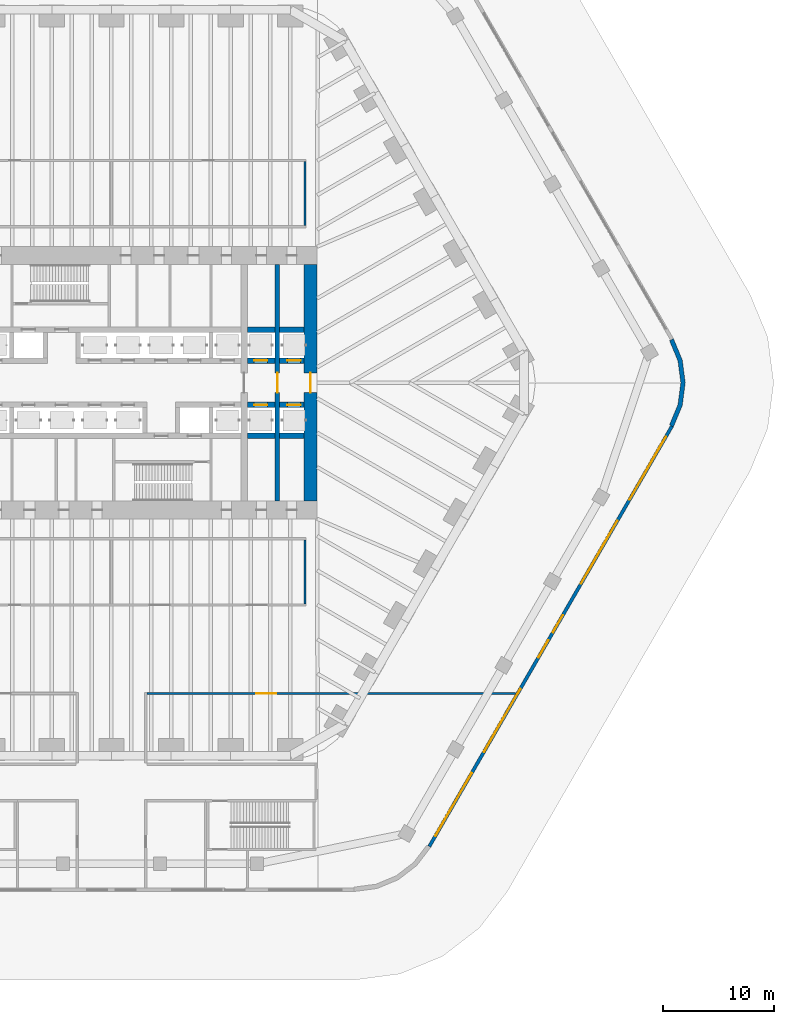
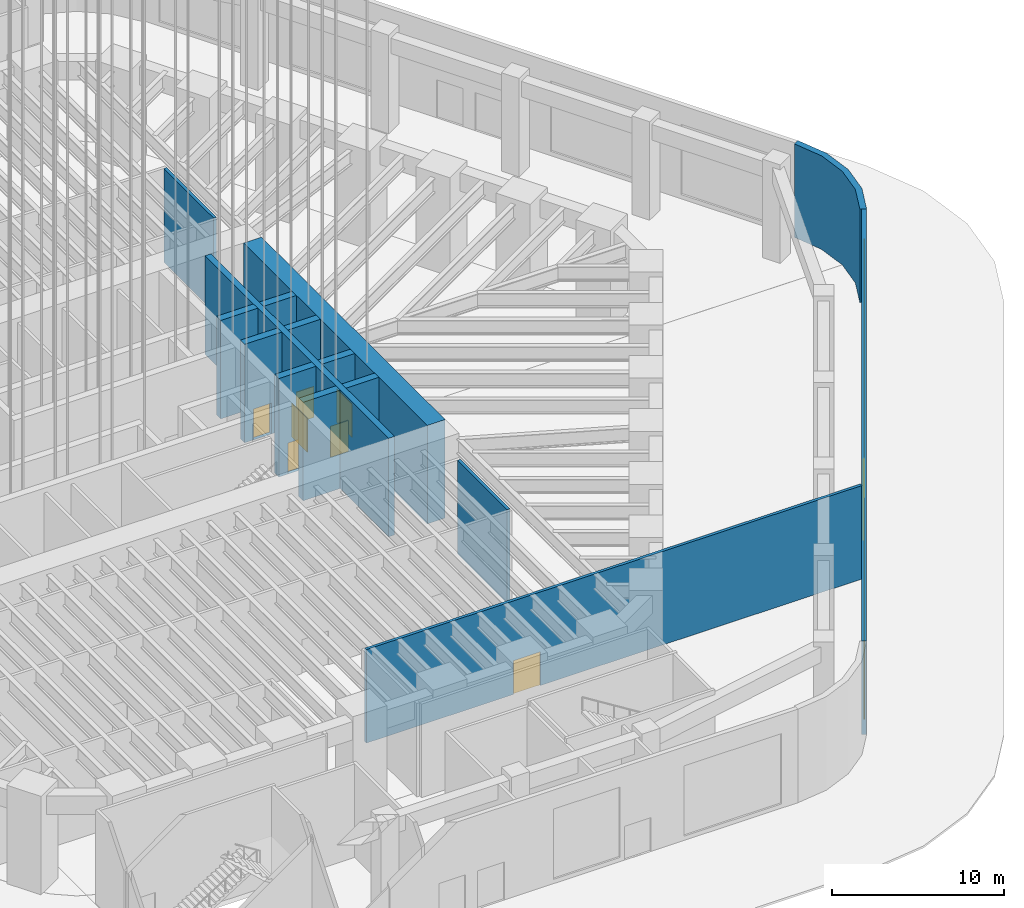
# One storey, part 9 of 23: 15 walls, 9 doors, 4 windows, 13 openings.
"""IFC4 building model written with IfcOpenShell, lengths in metres."""

import ifcopenshell
import ifcopenshell.guid

model = None  # the IFC model being written
_history = None  # IfcOwnerHistory: only IFC2X3 demands one
_inside = {}  # id of a spatial element -> (the spatial element, [elements in it])
_under = {}  # id of a project, library or spatial element -> (it, [spatial elements below it])
_declared = {}  # id of a project -> (the project, [libraries it declares])
_typed = {}  # id of a type object -> (the type object, [elements of that type])
_made_of = {}  # id of a material, layer set ... -> (it, [elements and type objects made of it])


def new_model(schema):
    """Start an empty IFC model of exactly this schema.

    Asked for "IFC4X3", IfcOpenShell would pick the latest addendum, in which some entities
    have other attributes; the version numbers below select the first issue.
    IFC2X3 requires an IfcOwnerHistory on every rooted entity: one is made here for all.
    """
    global model, _history
    if schema == "IFC4X3":
        model = ifcopenshell.file(schema_version=(4, 3, 0, 0))
    else:
        model = ifcopenshell.file(schema=schema)
    _inside.clear()
    _under.clear()
    _declared.clear()
    _typed.clear()
    _made_of.clear()
    _history = None
    if model.schema == "IFC2X3":
        org = make("IfcOrganization", Name="unknown")
        user = make(
            "IfcPersonAndOrganization",
            ThePerson=make("IfcPerson", FamilyName="unknown"),
            TheOrganization=org,
        )
        app = make(
            "IfcApplication",
            ApplicationDeveloper=org,
            Version="unknown",
            ApplicationFullName="unknown",
            ApplicationIdentifier="unknown",
        )
        _history = make(
            "IfcOwnerHistory",
            OwningUser=user,
            OwningApplication=app,
            ChangeAction="ADDED",
            CreationDate=0,
        )
    return model


def make(cls, **values):
    """One entity of the class cls with the attributes given. An attribute that is None is left unset."""
    return model.create_entity(
        cls, **{name: value for name, value in values.items() if value is not None}
    )


def rooted(cls, **values):
    """An entity with a GlobalId (a new one), such as an element, a storey or a relation."""
    return make(cls, GlobalId=ifcopenshell.guid.new(), OwnerHistory=_history, **values)


def si_unit(unit_type, name, prefix=None):
    """IfcSIUnit, for example si_unit("LENGTHUNIT", "METRE", prefix="MILLI")."""
    return make("IfcSIUnit", UnitType=unit_type, Prefix=prefix, Name=name)


def assignment(units):
    """IfcUnitAssignment: the units of a project."""
    return None if units is None else make("IfcUnitAssignment", Units=units)


def point(xyz):
    """IfcCartesianPoint."""
    return None if xyz is None else make("IfcCartesianPoint", Coordinates=xyz)


def direction(xyz):
    """IfcDirection."""
    return None if xyz is None else make("IfcDirection", DirectionRatios=xyz)


def frame(location, z_axis=None, x_axis=None):
    """IfcAxis2Placement3D, a coordinate frame: its origin and axes. An axis left out is left unset."""
    return make(
        "IfcAxis2Placement3D",
        Location=point(location),
        Axis=direction(z_axis),
        RefDirection=direction(x_axis),
    )


def frame_2d(location, x_axis=None):
    """IfcAxis2Placement2D, a coordinate frame in the plane: its origin and x axis."""
    return make(
        "IfcAxis2Placement2D", Location=point(location), RefDirection=direction(x_axis)
    )


def origin():
    """The frame at (0, 0, 0) with its axes left unset."""
    return frame((0.0, 0.0, 0.0))


def place(relative_to, where):
    """IfcLocalPlacement: puts the frame where relative to a parent placement (None: the world)."""
    return make(
        "IfcLocalPlacement", PlacementRelTo=relative_to, RelativePlacement=where
    )


def context(
    kind, dimensions, precision=None, world=None, true_north=None, identifier=None
):
    """IfcGeometricRepresentationContext, for example the 3D "Model" context."""
    return make(
        "IfcGeometricRepresentationContext",
        ContextIdentifier=identifier,
        ContextType=kind,
        CoordinateSpaceDimension=dimensions,
        Precision=precision,
        WorldCoordinateSystem=world,
        TrueNorth=true_north,
    )


def subcontext(parent, identifier, kind, view, scale=None):
    """IfcGeometricRepresentationSubContext, for example "Body" below "Model"."""
    return make(
        "IfcGeometricRepresentationSubContext",
        ContextIdentifier=identifier,
        ContextType=kind,
        ParentContext=parent,
        TargetScale=scale,
        TargetView=view,
    )


def project(units=None, contexts=None):
    """IfcProject with its units and contexts."""
    return rooted(
        "IfcProject",
        Name="project",
        RepresentationContexts=contexts,
        UnitsInContext=assignment(units),
    )


def spatial(cls, under=None, at=None, **own):
    """A site, building, storey or space (cls), placed at a placement, below another one or the project."""
    s = rooted(cls, ObjectPlacement=at, **own)
    if under is not None:
        _under.setdefault(under.id(), (under, []))[1].append(s)
    return s


def polyline(points):
    """IfcPolyline through the points."""
    return make("IfcPolyline", Points=[point(p) for p in points])


def profile(cls, at=None, kind="AREA", **sizes):
    """A parametric profile (cls). Its sizes go by their IFC names, for example OverallWidth=200.0."""
    return make(cls, ProfileType=kind, Position=at, **sizes)


def rectangle(**sizes):
    """IfcRectangleProfileDef."""
    return profile("IfcRectangleProfileDef", **sizes)


def outline(outer, holes=None, kind="AREA"):
    """IfcArbitraryClosedProfileDef: a profile drawn as a closed curve; with holes, ...WithVoids."""
    if holes is None:
        return make("IfcArbitraryClosedProfileDef", ProfileType=kind, OuterCurve=outer)
    return make(
        "IfcArbitraryProfileDefWithVoids",
        ProfileType=kind,
        OuterCurve=outer,
        InnerCurves=holes,
    )


def extrude(swept, where, along, depth):
    """IfcExtrudedAreaSolid: the profile swept, set in the frame where, extruded along a direction by depth."""
    return make(
        "IfcExtrudedAreaSolid",
        SweptArea=swept,
        Position=where,
        ExtrudedDirection=direction(along),
        Depth=depth,
    )


def shape(context_of_items, identifier, shape_type, items):
    """IfcShapeRepresentation: the items that make up one representation, for example the "Body"."""
    return make(
        "IfcShapeRepresentation",
        ContextOfItems=context_of_items,
        RepresentationIdentifier=identifier,
        RepresentationType=shape_type,
        Items=items,
    )


def material(Name=None, Category=None):
    """IfcMaterial."""
    return make("IfcMaterial", Name=Name, Category=Category)


def layer(
    of_material, thickness, ventilated=None, Name=None, Category=None, Priority=None
):
    """IfcMaterialLayer: one layer of a wall or slab, of a material (None: an air gap)."""
    return make(
        "IfcMaterialLayer",
        Material=of_material,
        LayerThickness=thickness,
        IsVentilated=ventilated,
        Name=Name,
        Category=Category,
        Priority=Priority,
    )


def layer_set(layers, Name=None):
    """IfcMaterialLayerSet."""
    return make("IfcMaterialLayerSet", MaterialLayers=layers, LayerSetName=Name)


def made_of(thing, what):
    """Note that an element or type object is made of a material, layer set ...; save() writes the relation."""
    if what is not None:
        _made_of.setdefault(what.id(), (what, []))[1].append(thing)
    return thing


def type_object(cls, material=None, **own):
    """A type object (cls), such as IfcWallType, which elements share."""
    return made_of(rooted(cls, **own), material)


def element(
    cls,
    number,
    at=None,
    inside=None,
    cuts=None,
    type_object=None,
    material=None,
    context=None,
    identifier="Body",
    shape_type=None,
    held_by="IfcProductDefinitionShape",
    body=None,
    shapes=None,
    **own,
):
    """One element of the class cls, such as IfcWall. Its Tag is "e" and its number.

    at: its placement. inside: the storey or other place that contains it. cuts: it is an
    opening in that element (IfcRelVoidsElement). A single representation is given by context,
    identifier, shape_type and body (its items); several are given by shapes. held_by: the class
    of the entity that holds the representations. save() writes the other relations.
    """
    e = rooted(cls, Tag="e%d" % number, ObjectPlacement=at, **own)
    if body is not None:
        shapes = [shape(context, identifier, shape_type, body)]
    if shapes is not None:
        e.Representation = make(held_by, Representations=shapes)
    if inside is not None:
        _inside.setdefault(inside.id(), (inside, []))[1].append(e)
    if cuts is not None:
        rooted(
            "IfcRelVoidsElement", RelatingBuildingElement=cuts, RelatedOpeningElement=e
        )
    if type_object is not None:
        _typed.setdefault(type_object.id(), (type_object, []))[1].append(e)
    return made_of(e, material)


def fill(opening, filler):
    """IfcRelFillsElement: the door or window that sits in an opening."""
    return rooted(
        "IfcRelFillsElement",
        RelatingOpeningElement=opening,
        RelatedBuildingElement=filler,
    )


def aggregate(whole, parts):
    """IfcRelAggregates: a whole, such as a stair, and the parts it consists of."""
    return rooted("IfcRelAggregates", RelatingObject=whole, RelatedObjects=parts)


def save(model, path):
    """Write the relations noted so far, then the file.

    IfcRelAggregates (storeys below a building ...), IfcRelContainedInSpatialStructure (elements
    in a storey), IfcRelDefinesByType, IfcRelAssociatesMaterial and IfcRelDeclares: one each for
    every whole, place, type object, material and project.
    """
    for whole, parts in _under.values():
        aggregate(whole, parts)
    for where, things in _inside.values():
        rooted(
            "IfcRelContainedInSpatialStructure",
            RelatedElements=things,
            RelatingStructure=where,
        )
    for kind, things in _typed.values():
        rooted("IfcRelDefinesByType", RelatedObjects=things, RelatingType=kind)
    for what, things in _made_of.values():
        rooted("IfcRelAssociatesMaterial", RelatedObjects=things, RelatingMaterial=what)
    for by, libraries in _declared.values():
        rooted("IfcRelDeclares", RelatingContext=by, RelatedDefinitions=libraries)
    model.write(path)


model = new_model("IFC4")

# Units and contexts
model_context = context("Model", 3, precision=1e-05, world=origin(), true_north=direction((0.0, 1.0)))
body_context = subcontext(model_context, "Body", "Model", "MODEL_VIEW")
ifc_project = project(units=[si_unit("LENGTHUNIT", "METRE"), si_unit("AREAUNIT", "SQUARE_METRE"), si_unit("VOLUMEUNIT", "CUBIC_METRE"), si_unit("PLANEANGLEUNIT", "RADIAN"), si_unit("MASSUNIT", "GRAM", prefix="KILO")], contexts=[model_context])

# Site, building, storey
site_placement = place(None, origin())
site = spatial("IfcSite", under=ifc_project, at=site_placement, CompositionType="ELEMENT")
building_placement = place(site_placement, origin())
building = spatial("IfcBuilding", under=site, at=building_placement, Name="Tarfa Lantern Tower", CompositionType="ELEMENT")
storey_placement = place(building_placement, origin())
storey = spatial("IfcBuildingStorey", under=building, at=storey_placement, Name="L00", CompositionType="ELEMENT", Elevation=0.0)

# Wall, openings, doors, windows
ifc_material_1 = material(Name="Limestone cladding on blockwork", Category="masonry")
ifc_layer_1 = layer(ifc_material_1, 0.300048828125)
ifc_layer_set_1 = layer_set([ifc_layer_1], Name="EW1 STONE-CLAD WALL 300")
wall_type_1 = type_object("IfcWallType", Name="EW1 STONE-CLAD WALL 300", PredefinedType="SOLIDWALL", material=ifc_layer_set_1)
wall_1_placement = place(storey_placement, frame((28.737548828125, -41.925048828125, 0.0), z_axis=(0.0, 0.0, 1.0), x_axis=(0.500002442456, 0.866023993627, 0.0)))
wall_1 = element("IfcWall", 1, at=wall_1_placement, inside=storey, type_object=wall_type_1, Name="Podium wall SE", PredefinedType="SOLIDWALL", context=body_context, shape_type="SweptSolid", body=[
    extrude(rectangle(XDim=43.878662109375, YDim=0.300048828125, at=frame_2d((21.939453125, 0.0))), origin(), (0.0, 0.0, 1.0), 6.64990234375),
])
opening_1_placement = place(wall_1_placement, frame((1.099853515625, 0.0, 0.300048828125)))
opening_1 = element("IfcOpeningElement", 2, at=opening_1_placement, cuts=wall_1, Name="Opening W1", PredefinedType="OPENING", context=body_context, shape_type="SweptSolid", body=[
    extrude(rectangle(XDim=6.575927734375, YDim=5.0, at=frame_2d((3.2880859375, 2.5))), frame((0.0, 0.159912109375, 0.0), z_axis=(0.0, -1.0, 0.0), x_axis=(1.0, 0.0, 0.0)), (0.0, 0.0, 1.0), 0.320068359375),
])
opening_2_placement = place(wall_1_placement, frame((9.87548828125, 0.0, 0.300048828125)))
opening_2 = element("IfcOpeningElement", 3, at=opening_2_placement, cuts=wall_1, Name="Opening W1", PredefinedType="OPENING", context=body_context, shape_type="SweptSolid", body=[
    extrude(rectangle(XDim=6.575927734375, YDim=5.0, at=frame_2d((3.2880859375, 2.5))), frame((0.0, 0.159912109375, 0.0), z_axis=(0.0, -1.0, 0.0), x_axis=(1.0, 0.0, 0.0)), (0.0, 0.0, 1.0), 0.320068359375),
])
opening_3_placement = place(wall_1_placement, frame((19.7392578125, 0.0, 0.0)))
opening_3 = element("IfcOpeningElement", 4, at=opening_3_placement, cuts=wall_1, Name="Opening D50", PredefinedType="OPENING", context=body_context, shape_type="SweptSolid", body=[
    extrude(rectangle(XDim=1.800048828125, YDim=2.699951171875, at=frame_2d((0.89990234375, 1.35009765625))), frame((0.0, 0.159912109375, 0.0), z_axis=(0.0, -1.0, 0.0), x_axis=(1.0, 0.0, 0.0)), (0.0, 0.0, 1.0), 0.320068359375),
])
opening_4_placement = place(wall_1_placement, frame((22.33935546875, 0.0, 0.0)))
opening_4 = element("IfcOpeningElement", 5, at=opening_4_placement, cuts=wall_1, Name="Opening D51", PredefinedType="OPENING", context=body_context, shape_type="SweptSolid", body=[
    extrude(rectangle(XDim=1.800048828125, YDim=2.699951171875, at=frame_2d((0.89990234375, 1.35009765625))), frame((0.0, 0.159912109375, 0.0), z_axis=(0.0, -1.0, 0.0), x_axis=(1.0, 0.0, 0.0)), (0.0, 0.0, 1.0), 0.320068359375),
])
opening_5_placement = place(wall_1_placement, frame((27.427001953125, 0.0, 0.300048828125)))
opening_5 = element("IfcOpeningElement", 6, at=opening_5_placement, cuts=wall_1, Name="Opening W1", PredefinedType="OPENING", context=body_context, shape_type="SweptSolid", body=[
    extrude(rectangle(XDim=6.575927734375, YDim=5.0, at=frame_2d((3.2880859375, 2.5))), frame((0.0, 0.159912109375, 0.0), z_axis=(0.0, -1.0, 0.0), x_axis=(1.0, 0.0, 0.0)), (0.0, 0.0, 1.0), 0.320068359375),
])
opening_6_placement = place(wall_1_placement, frame((36.20263671875, 0.0, 0.300048828125)))
opening_6 = element("IfcOpeningElement", 7, at=opening_6_placement, cuts=wall_1, Name="Opening W1", PredefinedType="OPENING", context=body_context, shape_type="SweptSolid", body=[
    extrude(rectangle(XDim=6.575927734375, YDim=5.0, at=frame_2d((3.2880859375, 2.5))), frame((0.0, 0.159912109375, 0.0), z_axis=(0.0, -1.0, 0.0), x_axis=(1.0, 0.0, 0.0)), (0.0, 0.0, 1.0), 0.320068359375),
])
ifc_material_2 = material(Name="Aluminium framed glazed door", Category="aluminium")
door_type_1 = type_object("IfcDoorType", Name="EE1 ENTRANCE DOOR 1800x2700", OperationType="DOUBLE_DOOR_SINGLE_SWING", PredefinedType="DOOR", material=ifc_material_2)
door_1_placement = place(opening_3_placement, origin())
door_1 = element("IfcDoor", 8, at=door_1_placement, inside=storey, type_object=door_type_1, Name="Concourse door SE 1", OperationType="DOUBLE_DOOR_SINGLE_SWING", OverallHeight=2.699951171875, OverallWidth=1.800048828125, PredefinedType="DOOR", context=body_context, shape_type="SweptSolid", body=[
    extrude(rectangle(XDim=1.800048828125, YDim=2.699951171875, at=frame_2d((0.89990234375, 1.35009765625))), frame((0.0, 0.02490234375, 0.0), z_axis=(0.0, -1.0, 0.0), x_axis=(1.0, 0.0, 0.0)), (0.0, 0.0, 1.0), 0.050048828125),
])
fill(opening_3, door_1)
door_2_placement = place(opening_4_placement, origin())
door_2 = element("IfcDoor", 9, at=door_2_placement, inside=storey, type_object=door_type_1, Name="Concourse door SE 2", OperationType="DOUBLE_DOOR_SINGLE_SWING", OverallHeight=2.699951171875, OverallWidth=1.800048828125, PredefinedType="DOOR", context=body_context, shape_type="SweptSolid", body=[
    extrude(rectangle(XDim=1.800048828125, YDim=2.699951171875, at=frame_2d((0.89990234375, 1.35009765625))), frame((0.0, 0.02490234375, 0.0), z_axis=(0.0, -1.0, 0.0), x_axis=(1.0, 0.0, 0.0)), (0.0, 0.0, 1.0), 0.050048828125),
])
fill(opening_4, door_2)
ifc_material_3 = material(Name="Aluminium frame, double glazed", Category="aluminium")
window_type = type_object("IfcWindowType", Name="W1 SHOPFRONT GLAZING 6576x5000", PartitioningType="SINGLE_PANEL", PredefinedType="WINDOW", material=ifc_material_3)
window_1_placement = place(opening_1_placement, origin())
window_1 = element("IfcWindow", 10, at=window_1_placement, inside=storey, type_object=window_type, Name="Shopfront SE 1", OverallHeight=5.0, OverallWidth=6.575927734375, PartitioningType="SINGLE_PANEL", PredefinedType="WINDOW", context=body_context, shape_type="SweptSolid", body=[
    extrude(rectangle(XDim=6.575927734375, YDim=5.0, at=frame_2d((3.2880859375, 2.5))), frame((0.0, 0.030029296875, 0.0), z_axis=(0.0, -1.0, 0.0), x_axis=(1.0, 0.0, 0.0)), (0.0, 0.0, 1.0), 0.06005859375),
])
fill(opening_1, window_1)
window_2_placement = place(opening_2_placement, origin())
window_2 = element("IfcWindow", 11, at=window_2_placement, inside=storey, type_object=window_type, Name="Shopfront SE 2", OverallHeight=5.0, OverallWidth=6.575927734375, PartitioningType="SINGLE_PANEL", PredefinedType="WINDOW", context=body_context, shape_type="SweptSolid", body=[
    extrude(rectangle(XDim=6.575927734375, YDim=5.0, at=frame_2d((3.2880859375, 2.5))), frame((0.0, 0.030029296875, 0.0), z_axis=(0.0, -1.0, 0.0), x_axis=(1.0, 0.0, 0.0)), (0.0, 0.0, 1.0), 0.06005859375),
])
fill(opening_2, window_2)
window_3_placement = place(opening_5_placement, origin())
window_3 = element("IfcWindow", 12, at=window_3_placement, inside=storey, type_object=window_type, Name="Shopfront SE 4", OverallHeight=5.0, OverallWidth=6.575927734375, PartitioningType="SINGLE_PANEL", PredefinedType="WINDOW", context=body_context, shape_type="SweptSolid", body=[
    extrude(rectangle(XDim=6.575927734375, YDim=5.0, at=frame_2d((3.2880859375, 2.5))), frame((0.0, 0.030029296875, 0.0), z_axis=(0.0, -1.0, 0.0), x_axis=(1.0, 0.0, 0.0)), (0.0, 0.0, 1.0), 0.06005859375),
])
fill(opening_5, window_3)
window_4_placement = place(opening_6_placement, origin())
window_4 = element("IfcWindow", 13, at=window_4_placement, inside=storey, type_object=window_type, Name="Shopfront SE 5", OverallHeight=5.0, OverallWidth=6.575927734375, PartitioningType="SINGLE_PANEL", PredefinedType="WINDOW", context=body_context, shape_type="SweptSolid", body=[
    extrude(rectangle(XDim=6.575927734375, YDim=5.0, at=frame_2d((3.2880859375, 2.5))), frame((0.0, 0.030029296875, 0.0), z_axis=(0.0, -1.0, 0.0), x_axis=(1.0, 0.0, 0.0)), (0.0, 0.0, 1.0), 0.06005859375),
])
fill(opening_6, window_4)

# Walls
ifc_layer_2 = layer(ifc_material_1, 0.39990234375)
ifc_layer_set_2 = layer_set([ifc_layer_2], Name="EW2 CURVED STONE CORNER 400")
wall_type_2 = type_object("IfcWallType", Name="EW2 CURVED STONE CORNER 400", PredefinedType="SOLIDWALL", material=ifc_layer_set_2)
wall_2_placement = place(storey_placement, origin())
element("IfcWall", 14, at=wall_2_placement, inside=storey, type_object=wall_type_2, Name="Stone corner SE-NE", PredefinedType="SOLIDWALL", context=body_context, shape_type="SweptSolid", body=[
    extrude(outline(polyline([(50.806884765625, -4.0), (51.60595703125, -2.070556640625), (51.878662109375, 0.0), (51.60595703125, 2.070556640625), (50.806884765625, 4.0), (50.46044921875, 3.800048828125), (51.2197265625, 1.967041015625), (51.478515625, 0.0), (51.2197265625, -1.967041015625), (50.46044921875, -3.800048828125), (50.806884765625, -4.0)])), origin(), (0.0, 0.0, 1.0), 6.64990234375),
])
ifc_material_4 = material(Name="Gypsum board on steel studs", Category="steel")
ifc_layer_3 = layer(ifc_material_4, 0.2099609375)
ifc_layer_set_3 = layer_set([ifc_layer_3], Name="IW2 ACOUSTIC PARTITION 200")
wall_type_3 = type_object("IfcWallType", Name="IW2 ACOUSTIC PARTITION 200", PredefinedType="PARTITIONING", material=ifc_layer_set_3)
for number, where, z_axis, x_axis, name in (
    (15, (17.5, 14.199951171875, 0.0), (0.0, 0.0, 1.0), (0.0, 1.0, 0.0), "Partition"),
    (16, (17.5, -14.199951171875, 0.0), (0.0, 0.0, 1.0), (0.0, -1.0, 0.0), "Partition"),
):
    element("IfcWall", number, at=place(storey_placement, frame(where, z_axis=z_axis, x_axis=x_axis)), inside=storey, type_object=wall_type_3, Name=name, PredefinedType="PARTITIONING", context=body_context, shape_type="SweptSolid", body=[
        extrude(rectangle(XDim=5.800048828125, YDim=0.199951171875, at=frame_2d((2.89990234375, 0.0))), origin(), (0.0, 0.0, 1.0), 6.64990234375),
    ])

# Wall, opening, door
wall_3_placement = place(storey_placement, frame((3.199951171875, -28.10009765625, 0.0), z_axis=(0.0, 0.0, 1.0), x_axis=(1.0, 0.0, 0.0)))
wall_3 = element("IfcWall", 17, at=wall_3_placement, inside=storey, type_object=wall_type_3, Name="Partition", PredefinedType="PARTITIONING", context=body_context, shape_type="SweptSolid", body=[
    extrude(rectangle(XDim=33.346435546875, YDim=0.199951171875, at=frame_2d((16.67333984375, 0.0))), origin(), (0.0, 0.0, 1.0), 6.64990234375),
])
opening_7_placement = place(wall_3_placement, frame((9.89990234375, 0.0, 0.0)))
opening_7 = element("IfcOpeningElement", 18, at=opening_7_placement, cuts=wall_3, Name="Opening D35", PredefinedType="OPENING", context=body_context, shape_type="SweptSolid", body=[
    extrude(rectangle(XDim=1.800048828125, YDim=2.39990234375, at=frame_2d((0.89990234375, 1.199951171875))), frame((0.0, 0.10986328125, 0.0), z_axis=(0.0, -1.0, 0.0), x_axis=(1.0, 0.0, 0.0)), (0.0, 0.0, 1.0), 0.219970703125),
])
ifc_material_5 = material(Name="Timber door", Category="wood")
door_type_2 = type_object("IfcDoorType", Name="DR2 ROOM DOOR 1800x2400", OperationType="DOUBLE_DOOR_SINGLE_SWING", PredefinedType="DOOR", material=ifc_material_5)
door_3_placement = place(opening_7_placement, frame((1.800048828125, 0.0, 0.0), z_axis=(0.0, 0.0, 1.0), x_axis=(-1.0, 0.0, 0.0)))
door_3 = element("IfcDoor", 19, at=door_3_placement, inside=storey, type_object=door_type_2, Name="Retail unit door", OperationType="DOUBLE_DOOR_SINGLE_SWING", OverallHeight=2.39990234375, OverallWidth=1.800048828125, PredefinedType="DOOR", context=body_context, shape_type="SweptSolid", body=[
    extrude(rectangle(XDim=1.800048828125, YDim=2.39990234375, at=frame_2d((0.89990234375, 1.199951171875))), frame((0.0, 0.02490234375, 0.0), z_axis=(0.0, -1.0, 0.0), x_axis=(1.0, 0.0, 0.0)), (0.0, 0.0, 1.0), 0.050048828125),
])
fill(opening_7, door_3)

ifc_material_6 = material(Name="Concrete C80/95", Category="concrete")
ifc_layer_4 = layer(ifc_material_6, 1.199951171875)
ifc_layer_set_4 = layer_set([ifc_layer_4], Name="SW1 CORE WALL 1200")
wall_type_4 = type_object("IfcWallType", Name="SW1 CORE WALL 1200", PredefinedType="SHEAR", material=ifc_layer_set_4)
wall_4_placement = place(storey_placement, frame((18.0, -10.699951171875, 0.0), z_axis=(0.0, 0.0, 1.0), x_axis=(0.0, 1.0, 0.0)))
wall_4 = element("IfcWall", 20, at=wall_4_placement, inside=storey, type_object=wall_type_4, Name="Core wall E", PredefinedType="SHEAR", context=body_context, shape_type="SweptSolid", body=[
    extrude(rectangle(XDim=21.39990234375, YDim=1.199951171875, at=frame_2d((10.699951171875, 0.0))), origin(), (0.0, 0.0, 1.0), 7.0),
])
opening_8_placement = place(wall_4_placement, frame((9.800048828125, 0.0, 0.0)))
opening_8 = element("IfcOpeningElement", 21, at=opening_8_placement, cuts=wall_4, Name="Opening D15", PredefinedType="OPENING", context=body_context, shape_type="SweptSolid", body=[
    extrude(rectangle(XDim=1.800048828125, YDim=2.39990234375, at=frame_2d((0.89990234375, 1.199951171875))), frame((0.0, 0.60986328125, 0.0), z_axis=(0.0, -1.0, 0.0), x_axis=(1.0, 0.0, 0.0)), (0.0, 0.0, 1.0), 1.219970703125),
])
ifc_material_7 = material(Name="Steel fire door", Category="steel")
door_type_3 = type_object("IfcDoorType", Name="DL1 LOBBY DOOR 1800x2400", OperationType="DOUBLE_DOOR_SINGLE_SWING", PredefinedType="DOOR", material=ifc_material_7)
door_4_placement = place(opening_8_placement, origin())
door_4 = element("IfcDoor", 22, at=door_4_placement, inside=storey, type_object=door_type_3, Name="Lift lobby door", OperationType="DOUBLE_DOOR_SINGLE_SWING", OverallHeight=2.39990234375, OverallWidth=1.800048828125, PredefinedType="DOOR", context=body_context, shape_type="SweptSolid", body=[
    extrude(rectangle(XDim=1.800048828125, YDim=2.39990234375, at=frame_2d((0.89990234375, 1.199951171875))), frame((0.0, 0.02490234375, 0.0), z_axis=(0.0, -1.0, 0.0), x_axis=(1.0, 0.0, 0.0)), (0.0, 0.0, 1.0), 0.050048828125),
])
fill(opening_8, door_4)

ifc_layer_5 = layer(ifc_material_6, 0.5)
ifc_layer_set_5 = layer_set([ifc_layer_5], Name="SW5 CORE WALL 500")
wall_type_5 = type_object("IfcWallType", Name="SW5 CORE WALL 500", PredefinedType="SHEAR", material=ifc_layer_set_5)
wall_5_placement = place(storey_placement, frame((12.300048828125, 2.0, 0.0), z_axis=(0.0, 0.0, 1.0), x_axis=(1.0, 0.0, 0.0)))
wall_5 = element("IfcWall", 23, at=wall_5_placement, inside=storey, type_object=wall_type_5, Name="Core wall lobby east N", PredefinedType="SHEAR", context=body_context, shape_type="SweptSolid", body=[
    extrude(rectangle(XDim=2.5, YDim=0.5, at=frame_2d((1.25, 0.0))), origin(), (0.0, 0.0, 1.0), 7.0),
])
opening_9_placement = place(wall_5_placement, frame((0.60009765625, 0.0, 0.0)))
opening_9 = element("IfcOpeningElement", 24, at=opening_9_placement, cuts=wall_5, Name="Opening LD19", PredefinedType="OPENING", context=body_context, shape_type="SweptSolid", body=[
    extrude(rectangle(XDim=1.199951171875, YDim=2.199951171875, at=frame_2d((0.60009765625, 1.10009765625))), frame((0.0, 0.260009765625, 0.0), z_axis=(0.0, -1.0, 0.0), x_axis=(1.0, 0.0, 0.0)), (0.0, 0.0, 1.0), 0.52001953125),
])
ifc_material_8 = material(Name="Stainless steel lift door", Category="steel")
door_type_4 = type_object("IfcDoorType", Name="LD1 LIFT LANDING DOOR 1200x2200", OperationType="SLIDING_TO_LEFT", PredefinedType="DOOR", material=ifc_material_8)
door_5_placement = place(opening_9_placement, frame((1.199951171875, 0.0, 0.0), z_axis=(0.0, 0.0, 1.0), x_axis=(-1.0, 0.0, 0.0)))
door_5 = element("IfcDoor", 25, at=door_5_placement, inside=storey, type_object=door_type_4, Name="Landing door S6", OperationType="SLIDING_TO_LEFT", OverallHeight=2.199951171875, OverallWidth=1.199951171875, PredefinedType="DOOR", context=body_context, shape_type="SweptSolid", body=[
    extrude(rectangle(XDim=1.199951171875, YDim=2.199951171875, at=frame_2d((0.60009765625, 1.10009765625))), frame((0.0, 0.02490234375, 0.0), z_axis=(0.0, -1.0, 0.0), x_axis=(1.0, 0.0, 0.0)), (0.0, 0.0, 1.0), 0.050048828125),
])
fill(opening_9, door_5)

wall_6_placement = place(storey_placement, frame((15.199951171875, 2.0, 0.0), z_axis=(0.0, 0.0, 1.0), x_axis=(1.0, 0.0, 0.0)))
wall_6 = element("IfcWall", 26, at=wall_6_placement, inside=storey, type_object=wall_type_5, Name="Core wall lobby east N", PredefinedType="SHEAR", context=body_context, shape_type="SweptSolid", body=[
    extrude(rectangle(XDim=2.199951171875, YDim=0.5, at=frame_2d((1.10009765625, 0.0))), origin(), (0.0, 0.0, 1.0), 7.0),
])
opening_10_placement = place(wall_6_placement, frame((0.699951171875, 0.0, 0.0)))
opening_10 = element("IfcOpeningElement", 27, at=opening_10_placement, cuts=wall_6, Name="Opening LD15", PredefinedType="OPENING", context=body_context, shape_type="SweptSolid", body=[
    extrude(rectangle(XDim=1.199951171875, YDim=2.199951171875, at=frame_2d((0.60009765625, 1.10009765625))), frame((0.0, 0.260009765625, 0.0), z_axis=(0.0, -1.0, 0.0), x_axis=(1.0, 0.0, 0.0)), (0.0, 0.0, 1.0), 0.52001953125),
])
door_6_placement = place(opening_10_placement, frame((1.199951171875, 0.0, 0.0), z_axis=(0.0, 0.0, 1.0), x_axis=(-1.0, 0.0, 0.0)))
door_6 = element("IfcDoor", 28, at=door_6_placement, inside=storey, type_object=door_type_4, Name="Landing door S2", OperationType="SLIDING_TO_LEFT", OverallHeight=2.199951171875, OverallWidth=1.199951171875, PredefinedType="DOOR", context=body_context, shape_type="SweptSolid", body=[
    extrude(rectangle(XDim=1.199951171875, YDim=2.199951171875, at=frame_2d((0.60009765625, 1.10009765625))), frame((0.0, 0.02490234375, 0.0), z_axis=(0.0, -1.0, 0.0), x_axis=(1.0, 0.0, 0.0)), (0.0, 0.0, 1.0), 0.050048828125),
])
fill(opening_10, door_6)

# Walls
wall_7_placement = place(storey_placement, frame((12.300048828125, 4.800048828125, 0.0), z_axis=(0.0, 0.0, 1.0), x_axis=(1.0, 0.0, 0.0)))
element("IfcWall", 29, at=wall_7_placement, inside=storey, type_object=wall_type_5, Name="Core wall rear N", PredefinedType="SHEAR", context=body_context, shape_type="SweptSolid", body=[
    extrude(rectangle(XDim=2.5, YDim=0.5, at=frame_2d((1.25, 0.0))), origin(), (0.0, 0.0, 1.0), 7.0),
])
wall_8_placement = place(storey_placement, frame((15.199951171875, 4.800048828125, 0.0), z_axis=(0.0, 0.0, 1.0), x_axis=(1.0, 0.0, 0.0)))
element("IfcWall", 30, at=wall_8_placement, inside=storey, type_object=wall_type_5, Name="Core wall rear N", PredefinedType="SHEAR", context=body_context, shape_type="SweptSolid", body=[
    extrude(rectangle(XDim=2.199951171875, YDim=0.5, at=frame_2d((1.10009765625, 0.0))), origin(), (0.0, 0.0, 1.0), 7.0),
])

# Wall, opening, door
wall_9_placement = place(storey_placement, frame((17.39990234375, -2.0, 0.0), z_axis=(0.0, 0.0, 1.0), x_axis=(-1.0, 0.0, 0.0)))
wall_9 = element("IfcWall", 31, at=wall_9_placement, inside=storey, type_object=wall_type_5, Name="Core wall lobby west S", PredefinedType="SHEAR", context=body_context, shape_type="SweptSolid", body=[
    extrude(rectangle(XDim=2.199951171875, YDim=0.5, at=frame_2d((1.10009765625, 0.0))), origin(), (0.0, 0.0, 1.0), 7.0),
])
opening_11_placement = place(wall_9_placement, frame((0.300048828125, 0.0, 0.0)))
opening_11 = element("IfcOpeningElement", 32, at=opening_11_placement, cuts=wall_9, Name="Opening LD16", PredefinedType="OPENING", context=body_context, shape_type="SweptSolid", body=[
    extrude(rectangle(XDim=1.199951171875, YDim=2.199951171875, at=frame_2d((0.60009765625, 1.10009765625))), frame((0.0, 0.260009765625, 0.0), z_axis=(0.0, -1.0, 0.0), x_axis=(1.0, 0.0, 0.0)), (0.0, 0.0, 1.0), 0.52001953125),
])
door_7_placement = place(opening_11_placement, frame((1.199951171875, 0.0, 0.0), z_axis=(0.0, 0.0, 1.0), x_axis=(-1.0, 0.0, 0.0)))
door_7 = element("IfcDoor", 33, at=door_7_placement, inside=storey, type_object=door_type_4, Name="Landing door S3", OperationType="SLIDING_TO_LEFT", OverallHeight=2.199951171875, OverallWidth=1.199951171875, PredefinedType="DOOR", context=body_context, shape_type="SweptSolid", body=[
    extrude(rectangle(XDim=1.199951171875, YDim=2.199951171875, at=frame_2d((0.60009765625, 1.10009765625))), frame((0.0, 0.02490234375, 0.0), z_axis=(0.0, -1.0, 0.0), x_axis=(1.0, 0.0, 0.0)), (0.0, 0.0, 1.0), 0.050048828125),
])
fill(opening_11, door_7)

wall_10_placement = place(storey_placement, frame((14.800048828125, -2.0, 0.0), z_axis=(0.0, 0.0, 1.0), x_axis=(-1.0, 0.0, 0.0)))
wall_10 = element("IfcWall", 34, at=wall_10_placement, inside=storey, type_object=wall_type_5, Name="Core wall lobby west S", PredefinedType="SHEAR", context=body_context, shape_type="SweptSolid", body=[
    extrude(rectangle(XDim=2.5, YDim=0.5, at=frame_2d((1.25, 0.0))), origin(), (0.0, 0.0, 1.0), 7.0),
])
opening_12_placement = place(wall_10_placement, frame((0.699951171875, 0.0, 0.0)))
opening_12 = element("IfcOpeningElement", 35, at=opening_12_placement, cuts=wall_10, Name="Opening LD20", PredefinedType="OPENING", context=body_context, shape_type="SweptSolid", body=[
    extrude(rectangle(XDim=1.199951171875, YDim=2.199951171875, at=frame_2d((0.60009765625, 1.10009765625))), frame((0.0, 0.260009765625, 0.0), z_axis=(0.0, -1.0, 0.0), x_axis=(1.0, 0.0, 0.0)), (0.0, 0.0, 1.0), 0.52001953125),
])
door_8_placement = place(opening_12_placement, frame((1.199951171875, 0.0, 0.0), z_axis=(0.0, 0.0, 1.0), x_axis=(-1.0, 0.0, 0.0)))
door_8 = element("IfcDoor", 36, at=door_8_placement, inside=storey, type_object=door_type_4, Name="Landing door S7", OperationType="SLIDING_TO_LEFT", OverallHeight=2.199951171875, OverallWidth=1.199951171875, PredefinedType="DOOR", context=body_context, shape_type="SweptSolid", body=[
    extrude(rectangle(XDim=1.199951171875, YDim=2.199951171875, at=frame_2d((0.60009765625, 1.10009765625))), frame((0.0, 0.02490234375, 0.0), z_axis=(0.0, -1.0, 0.0), x_axis=(1.0, 0.0, 0.0)), (0.0, 0.0, 1.0), 0.050048828125),
])
fill(opening_12, door_8)

# Walls
wall_11_placement = place(storey_placement, frame((17.39990234375, -4.800048828125, 0.0), z_axis=(0.0, 0.0, 1.0), x_axis=(-1.0, 0.0, 0.0)))
element("IfcWall", 37, at=wall_11_placement, inside=storey, type_object=wall_type_5, Name="Core wall rear S", PredefinedType="SHEAR", context=body_context, shape_type="SweptSolid", body=[
    extrude(rectangle(XDim=2.199951171875, YDim=0.5, at=frame_2d((1.10009765625, 0.0))), origin(), (0.0, 0.0, 1.0), 7.0),
])
wall_12_placement = place(storey_placement, frame((14.800048828125, -4.800048828125, 0.0), z_axis=(0.0, 0.0, 1.0), x_axis=(-1.0, 0.0, 0.0)))
element("IfcWall", 38, at=wall_12_placement, inside=storey, type_object=wall_type_5, Name="Core wall rear S", PredefinedType="SHEAR", context=body_context, shape_type="SweptSolid", body=[
    extrude(rectangle(XDim=2.5, YDim=0.5, at=frame_2d((1.25, 0.0))), origin(), (0.0, 0.0, 1.0), 7.0),
])

# Wall, opening, door
ifc_layer_6 = layer(ifc_material_6, 0.39990234375)
ifc_layer_set_6 = layer_set([ifc_layer_6], Name="SW6 CORE WALL 400")
wall_type_6 = type_object("IfcWallType", Name="SW6 CORE WALL 400", PredefinedType="SHEAR", material=ifc_layer_set_6)
wall_13_placement = place(storey_placement, frame((15.0, -10.699951171875, 0.0), z_axis=(0.0, 0.0, 1.0), x_axis=(0.0, 1.0, 0.0)))
wall_13 = element("IfcWall", 39, at=wall_13_placement, inside=storey, type_object=wall_type_6, Name="Core wall cross 15 m east", PredefinedType="SHEAR", context=body_context, shape_type="SweptSolid", body=[
    extrude(rectangle(XDim=21.39990234375, YDim=0.39990234375, at=frame_2d((10.699951171875, 0.0))), origin(), (0.0, 0.0, 1.0), 7.0),
])
opening_13_placement = place(wall_13_placement, frame((9.800048828125, 0.0, 0.0)))
opening_13 = element("IfcOpeningElement", 40, at=opening_13_placement, cuts=wall_13, Name="Opening D26", PredefinedType="OPENING", context=body_context, shape_type="SweptSolid", body=[
    extrude(rectangle(XDim=1.800048828125, YDim=2.39990234375, at=frame_2d((0.89990234375, 1.199951171875))), frame((0.0, 0.2099609375, 0.0), z_axis=(0.0, -1.0, 0.0), x_axis=(1.0, 0.0, 0.0)), (0.0, 0.0, 1.0), 0.419921875),
])
door_9_placement = place(opening_13_placement, origin())
door_9 = element("IfcDoor", 41, at=door_9_placement, inside=storey, type_object=door_type_3, Name="Lift lobby door", OperationType="DOUBLE_DOOR_SINGLE_SWING", OverallHeight=2.39990234375, OverallWidth=1.800048828125, PredefinedType="DOOR", context=body_context, shape_type="SweptSolid", body=[
    extrude(rectangle(XDim=1.800048828125, YDim=2.39990234375, at=frame_2d((0.89990234375, 1.199951171875))), frame((0.0, 0.02490234375, 0.0), z_axis=(0.0, -1.0, 0.0), x_axis=(1.0, 0.0, 0.0)), (0.0, 0.0, 1.0), 0.050048828125),
])
fill(opening_13, door_9)

save(model, "model.ifc")
